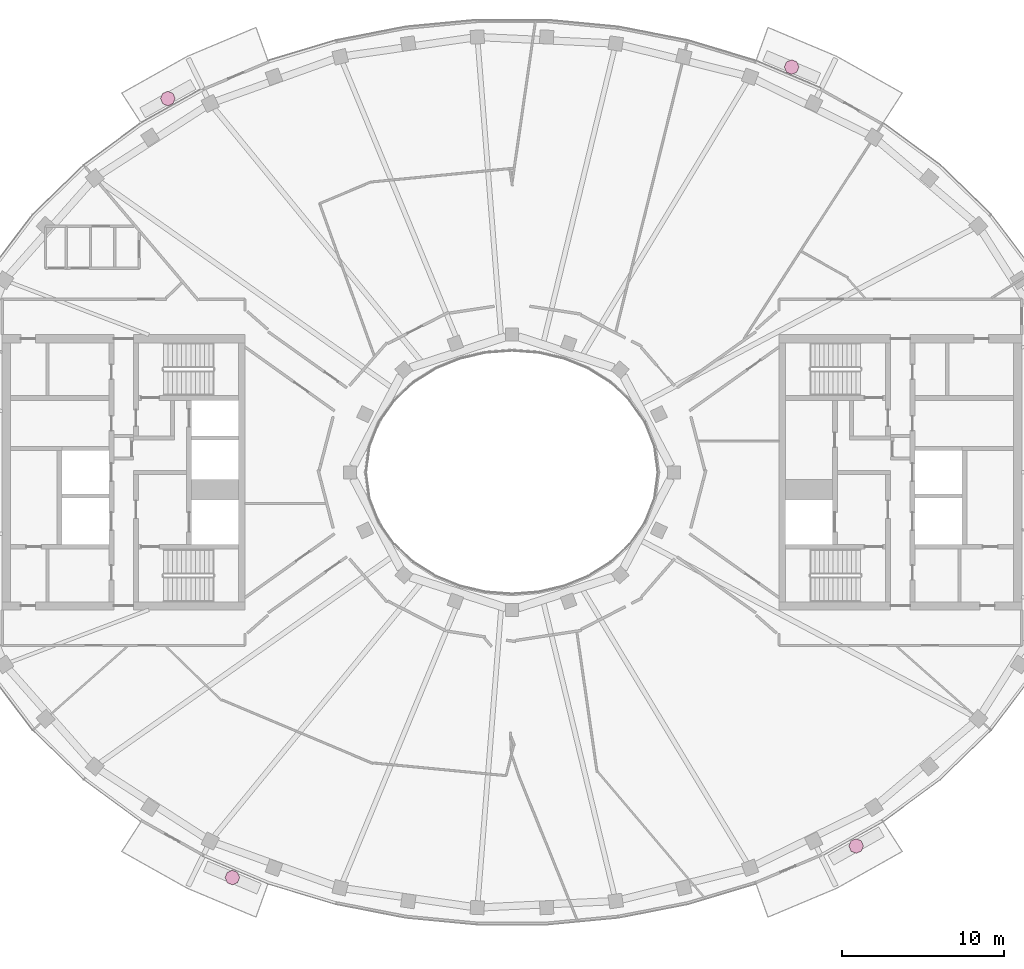
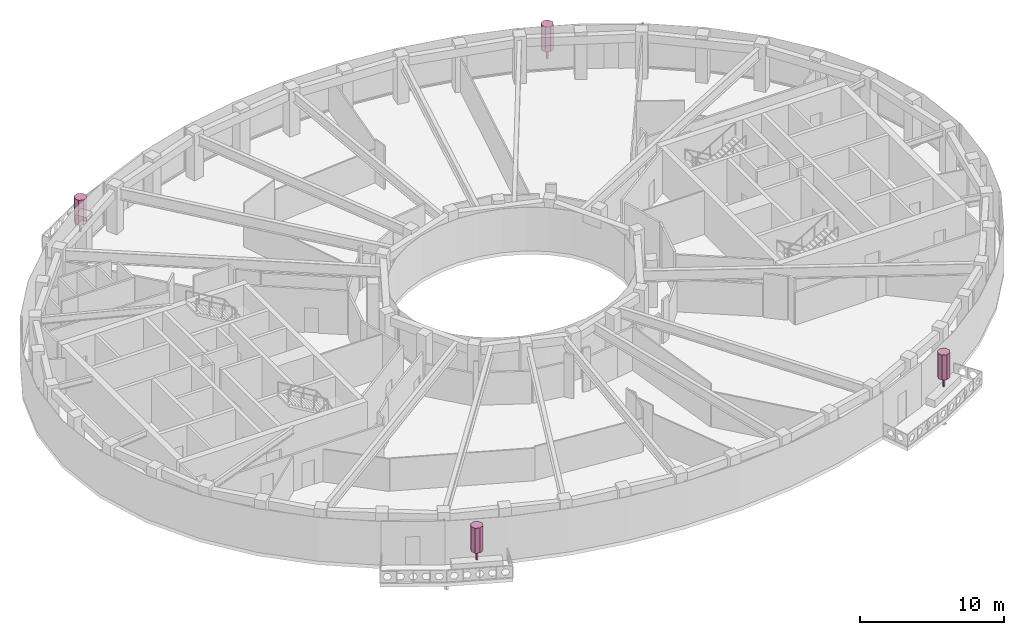
# One storey, part 18 of 18: 4 furnishings.
"""IFC4 building model written with IfcOpenShell, lengths in metres."""

from ifc_helpers import new_model, si_unit, direction, frame, origin, origin_2d, place, context, subcontext, project, spatial, polyline, rectangle, outline, extrude, material, type_object, element, save


model = new_model("IFC4")

# Units and contexts
model_context = context("Model", 3, precision=1e-05, world=origin(), true_north=direction((0.0, 1.0)))
body_context = subcontext(model_context, "Body", "Model", "MODEL_VIEW")
ifc_project = project(units=[si_unit("LENGTHUNIT", "METRE"), si_unit("AREAUNIT", "SQUARE_METRE"), si_unit("VOLUMEUNIT", "CUBIC_METRE"), si_unit("PLANEANGLEUNIT", "RADIAN"), si_unit("MASSUNIT", "GRAM", prefix="KILO")], contexts=[model_context])

# Site, building, storey
site_placement = place(None, origin())
site = spatial("IfcSite", under=ifc_project, at=site_placement, CompositionType="ELEMENT")
building_placement = place(site_placement, origin())
building = spatial("IfcBuilding", under=site, at=building_placement, Name="Noorbagh Ring Tower", CompositionType="ELEMENT")
storey_placement = place(building_placement, frame((0.0, 0.0, 319.0)))
storey = spatial("IfcBuildingStorey", under=building, at=storey_placement, Name="L69", CompositionType="ELEMENT", Elevation=319.0)

# Furnishings
ifc_material = material(Name="Planting foliage green")
furnishing_element_type = type_object("IfcFurnishingElementType", Name="ENV-TREE", material=ifc_material)
for number, where, z_axis, x_axis, name in (
    (1, (17.280517578125, 25.041259765625, 0.60009765625), (0.0, 0.0, 1.0), (1.0, 0.0, 0.0), "Tree BN02"),
    (2, (-21.26513671875, 23.093017578125, 0.60009765625), (0.0, 0.0, 1.0), (1.0, 0.0, 0.0), "Tree BN05"),
    (3, (-17.280517578125, -25.041259765625, 0.60009765625), (0.0, 0.0, 1.0), (1.0, 0.0, 0.0), "Tree BS02"),
    (4, (21.26513671875, -23.093017578125, 0.60009765625), (0.0, 0.0, 1.0), (1.0, 0.0, 0.0), "Tree BS05"),
):
    element("IfcFurnishingElement", number, at=place(storey_placement, frame(where, z_axis=z_axis, x_axis=x_axis)), inside=storey, type_object=furnishing_element_type, Name=name, context=body_context, shape_type="SweptSolid", body=[
        extrude(rectangle(XDim=0.1201171875, YDim=0.1201171875, at=origin_2d()), origin(), (0.0, 0.0, 1.0), 0.825927734375),
        extrude(outline(polyline([(0.449951171875, 0.0), (0.318115234375, 0.318115234375), (0.0, 0.449951171875), (-0.318115234375, 0.318115234375), (-0.449951171875, 0.0), (-0.318115234375, -0.318115234375), (0.0, -0.449951171875), (0.318115234375, -0.318115234375), (0.449951171875, 0.0)])), frame((0.0, 0.0, 0.825927734375)), (0.0, 0.0, 1.0), 2.1240234375),
    ])

save(model, "model.ifc")
